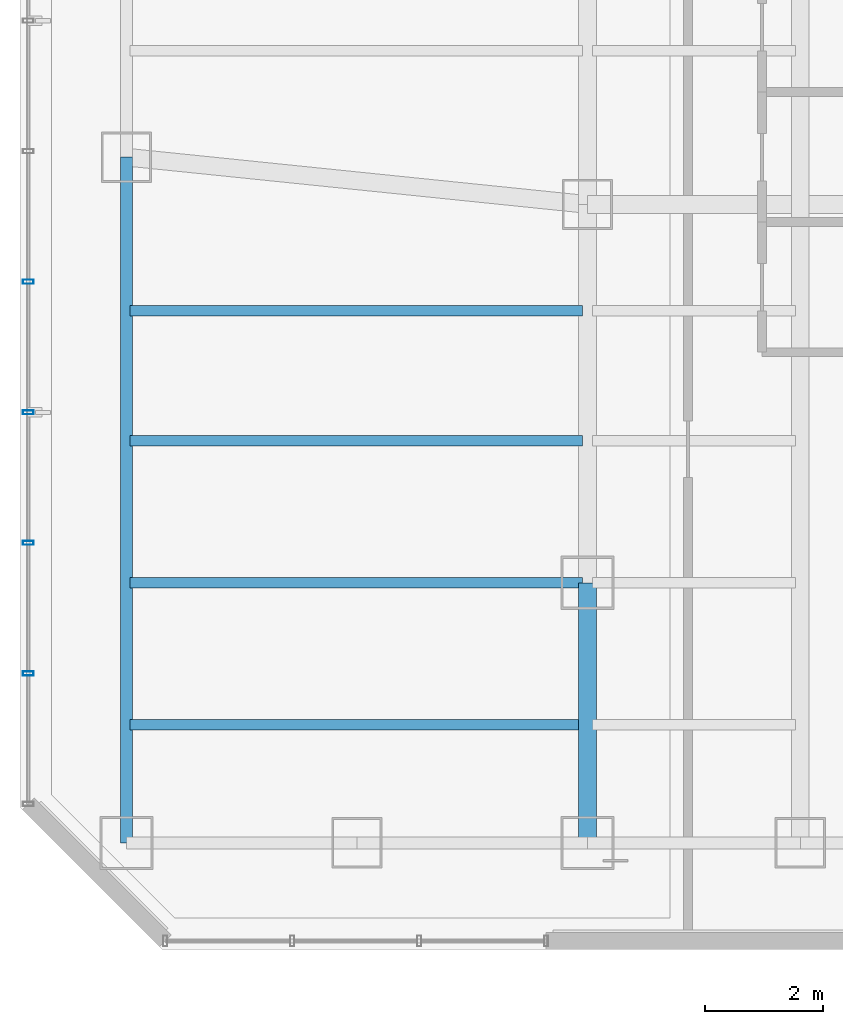
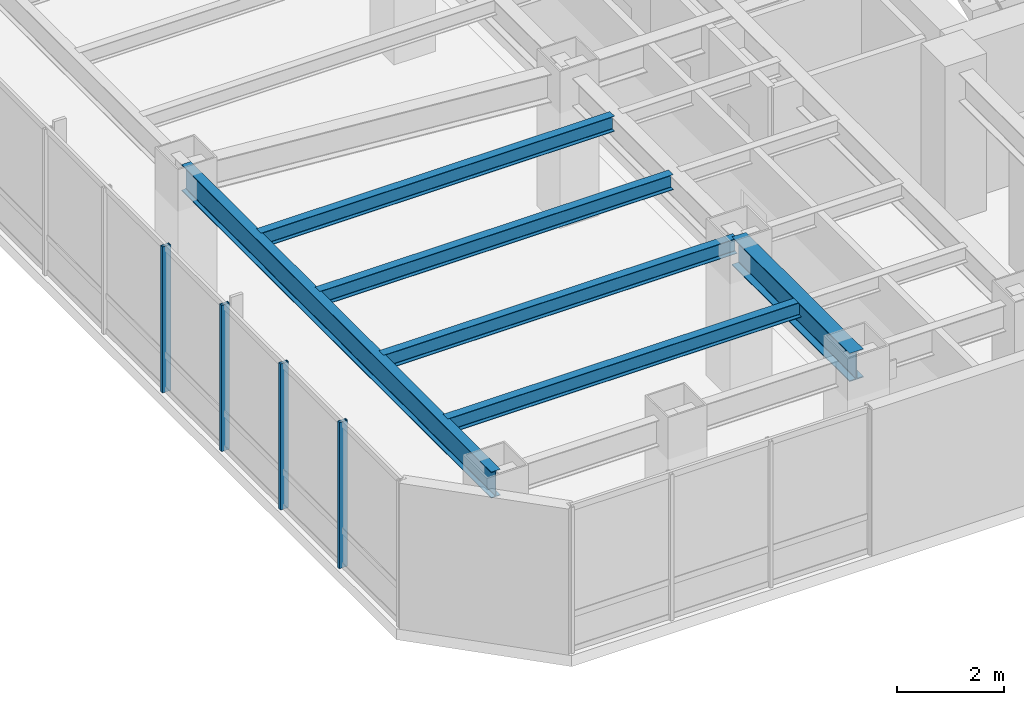
# One storey, part 4 of 29: 6 beams, 4 members, 1 element without a shape of its own.
"""IFC4 building model written with IfcOpenShell, lengths in metres."""

from ifc_helpers import new_model, si_unit, direction, frame, origin, origin_2d, place, context, subcontext, project, spatial, hollow_rectangle, i_section, extrude, material, layer, layer_set, material_profile, profile_set, type_object, element, aggregate, save


model = new_model("IFC4")

# Units and contexts
model_context = context("Model", 3, precision=1e-05, world=origin(), true_north=direction((0.0, 1.0)))
body_context = subcontext(model_context, "Body", "Model", "MODEL_VIEW")
ifc_project = project(units=[si_unit("LENGTHUNIT", "METRE"), si_unit("AREAUNIT", "SQUARE_METRE"), si_unit("VOLUMEUNIT", "CUBIC_METRE"), si_unit("PLANEANGLEUNIT", "RADIAN"), si_unit("MASSUNIT", "GRAM", prefix="KILO")], contexts=[model_context])

# Site, building, storey
site_placement = place(None, origin())
site = spatial("IfcSite", under=ifc_project, at=site_placement, CompositionType="ELEMENT")
building_placement = place(site_placement, origin())
building = spatial("IfcBuilding", under=site, at=building_placement, Name="Hatsunagi Terrace Concourse", CompositionType="ELEMENT")
storey_placement = place(building_placement, frame((0.0, 0.0, 126.449951171875)))
storey = spatial("IfcBuildingStorey", under=building, at=storey_placement, Name="L33", CompositionType="ELEMENT", Elevation=126.449951171875)

# Curtain wall, members
ifc_material_1 = material(Name="Anodised Aluminium Alloy 6063-T5", Category="aluminium")
ifc_layer = layer(ifc_material_1, 0.199951171875)
ifc_layer_set = layer_set([ifc_layer], Name="OfficeZone1_CW03")
curtain_wall_type = type_object("IfcCurtainWallType", Name="OfficeZone1_CW03", PredefinedType="NOTDEFINED", material=ifc_layer_set)
curtain_wall_placement = place(storey_placement, origin())
curtain_wall = element("IfcCurtainWall", 1, at=curtain_wall_placement, inside=storey, type_object=curtain_wall_type, Name="Unitised Curtain Wall CW-03 CW-L33-09", PredefinedType="NOTDEFINED")
ifc_material_2 = material(Name="Anodised Aluminium Alloy 6063-T5", Category="aluminium")
ifc_material_profile_1 = material_profile(ifc_material_2, hollow_rectangle(XDim=0.070068359375, YDim=0.179931640625, WallThickness=0.00390625, at=origin_2d()), Name="ALU-MUL-180x70x4")
ifc_profile_set_1 = profile_set([ifc_material_profile_1], Name="Anodised Aluminium Alloy 6063-T5")
member_type = type_object("IfcMemberType", Name="CurtainWallMullion_180x70", PredefinedType="MULLION", material=ifc_profile_set_1)
member_1_placement = place(storey_placement, frame((9.739990234375, 28.06591796875, 0.0), z_axis=(0.0, 0.0, 1.0), x_axis=(0.0, 1.0, 0.0)))
member_1 = element("IfcMember", 2, at=member_1_placement, type_object=member_type, Name="Curtain Wall Mullion MUL-02", PredefinedType="MULLION", context=body_context, shape_type="SweptSolid", body=[
    extrude(hollow_rectangle(XDim=0.070068359375, YDim=0.179931640625, WallThickness=0.00390625, at=origin_2d()), origin(), (0.0, 0.0, 1.0), 3.340087890625),
])
member_2_placement = place(storey_placement, frame((9.739990234375, 30.27490234375, 0.0), z_axis=(0.0, 0.0, 1.0), x_axis=(0.0, 1.0, 0.0)))
member_2 = element("IfcMember", 3, at=member_2_placement, type_object=member_type, Name="Curtain Wall Mullion MUL-02", PredefinedType="MULLION", context=body_context, shape_type="SweptSolid", body=[
    extrude(hollow_rectangle(XDim=0.070068359375, YDim=0.179931640625, WallThickness=0.00390625, at=origin_2d()), origin(), (0.0, 0.0, 1.0), 3.340087890625),
])
member_3_placement = place(storey_placement, frame((9.739990234375, 32.48291015625, 0.0), z_axis=(0.0, 0.0, 1.0), x_axis=(0.0, 1.0, 0.0)))
member_3 = element("IfcMember", 4, at=member_3_placement, type_object=member_type, Name="Curtain Wall Mullion MUL-02", PredefinedType="MULLION", context=body_context, shape_type="SweptSolid", body=[
    extrude(hollow_rectangle(XDim=0.070068359375, YDim=0.179931640625, WallThickness=0.00390625, at=origin_2d()), origin(), (0.0, 0.0, 1.0), 3.340087890625),
])
member_4_placement = place(storey_placement, frame((9.739990234375, 34.69189453125, 0.0), z_axis=(0.0, 0.0, 1.0), x_axis=(0.0, 1.0, 0.0)))
member_4 = element("IfcMember", 5, at=member_4_placement, type_object=member_type, Name="Curtain Wall Mullion MUL-02", PredefinedType="MULLION", context=body_context, shape_type="SweptSolid", body=[
    extrude(hollow_rectangle(XDim=0.070068359375, YDim=0.179931640625, WallThickness=0.00390625, at=origin_2d()), origin(), (0.0, 0.0, 1.0), 3.340087890625),
])
aggregate(curtain_wall, [member_1, member_2, member_3, member_4])

# Beams
ifc_material_3 = material(Name="Steel SN490B", Category="steel")
ifc_material_profile_2 = material_profile(ifc_material_3, i_section(OverallWidth=0.175048828125, OverallDepth=0.35009765625, WebThickness=0.007080078125, FlangeThickness=0.010986328125, FilletRadius=0.012939453125, at=origin_2d()), Name="H-350x175x7x11")
ifc_profile_set_2 = profile_set([ifc_material_profile_2], Name="Steel SN490B")
beam_type_1 = type_object("IfcBeamType", Name="HotelJoist_H_350x175", PredefinedType="JOIST", material=ifc_profile_set_2)
for number, where, z_axis, x_axis, name in (
    (6, (11.465087890625, 27.199951171875, 3.175048828125), (1.0, 0.0, 0.0), (0.0, 1.0, 0.0), "Beam J-02 J-L33-W-11-272"),
    (7, (11.465087890625, 29.60009765625, 3.175048828125), (1.0, 0.0, 0.0), (0.0, 1.0, 0.0), "Beam J-02 J-L33-W-11-296"),
    (8, (11.465087890625, 32.0, 3.175048828125), (1.0, 0.0, 0.0), (0.0, 1.0, 0.0), "Beam J-02 J-L33-W-11-320"),
    (9, (11.465087890625, 34.199951171875, 3.175048828125), (1.0, 0.0, 0.0), (0.0, 1.0, 0.0), "Beam J-02 J-L33-W-11-342"),
):
    element("IfcBeam", number, at=place(storey_placement, frame(where, z_axis=z_axis, x_axis=x_axis)), inside=storey, type_object=beam_type_1, Name=name, PredefinedType="JOIST", context=body_context, shape_type="SweptSolid", body=[
        extrude(i_section(OverallWidth=0.175048828125, OverallDepth=0.35009765625, WebThickness=0.007080078125, FlangeThickness=0.010986328125, FilletRadius=0.012939453125, at=origin_2d()), origin(), (0.0, 0.0, 1.0), 7.64990234375),
    ])
ifc_material_4 = material(Name="Steel SN490B", Category="steel")
ifc_material_profile_3 = material_profile(ifc_material_4, i_section(OverallWidth=0.300048828125, OverallDepth=0.64990234375, WebThickness=0.012939453125, FlangeThickness=0.02197265625, FilletRadius=0.01806640625, at=origin_2d()), Name="H-650x300x13x22")
ifc_profile_set_3 = profile_set([ifc_material_profile_3], Name="Steel SN490B")
beam_type_2 = type_object("IfcBeamType", Name="OfficeLowGirder_H_650x300", PredefinedType="BEAM", material=ifc_profile_set_3)
beam_1_placement = place(storey_placement, frame((19.199951171875, 25.199951171875, 3.025146484375), z_axis=(0.0, 1.0, 0.0), x_axis=(-1.0, 0.0, 0.0)))
element("IfcBeam", 10, at=beam_1_placement, inside=storey, type_object=beam_type_2, Name="Beam G-05 BM-L33-NS-19-25", PredefinedType="BEAM", context=body_context, shape_type="SweptSolid", body=[
    extrude(i_section(OverallWidth=0.300048828125, OverallDepth=0.64990234375, WebThickness=0.012939453125, FlangeThickness=0.02197265625, FilletRadius=0.01806640625, at=origin_2d()), origin(), (0.0, 0.0, 1.0), 4.400146484375),
])
ifc_material_5 = material(Name="Steel SN490B", Category="steel")
ifc_material_profile_4 = material_profile(ifc_material_5, i_section(OverallWidth=0.199951171875, OverallDepth=0.60009765625, WebThickness=0.010986328125, FlangeThickness=0.01708984375, FilletRadius=0.01806640625, at=origin_2d()), Name="H-600x200x11x17")
ifc_profile_set_4 = profile_set([ifc_material_profile_4], Name="Steel SN490B")
beam_type_3 = type_object("IfcBeamType", Name="PerimeterSpandrel_H_600x200", PredefinedType="SPANDREL", material=ifc_profile_set_4)
beam_2_placement = place(storey_placement, frame((11.39990234375, 25.199951171875, 3.050048828125), z_axis=(0.0, 1.0, 0.0), x_axis=(-1.0, 0.0, 0.0)))
element("IfcBeam", 11, at=beam_2_placement, inside=storey, type_object=beam_type_3, Name="Beam SP-01 BM-L33-NS-11-25", PredefinedType="SPANDREL", context=body_context, shape_type="SweptSolid", body=[
    extrude(i_section(OverallWidth=0.199951171875, OverallDepth=0.60009765625, WebThickness=0.010986328125, FlangeThickness=0.01708984375, FilletRadius=0.01806640625, at=origin_2d()), origin(), (0.0, 0.0, 1.0), 11.60009765625),
])

save(model, "model.ifc")
